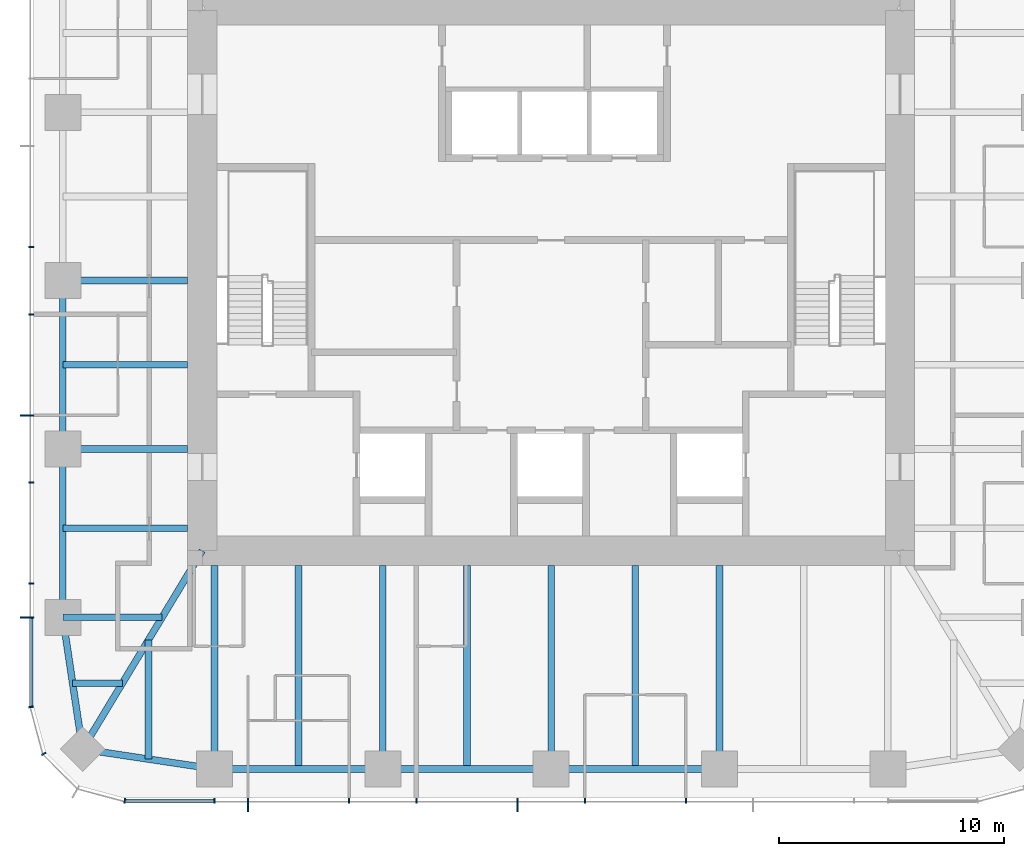
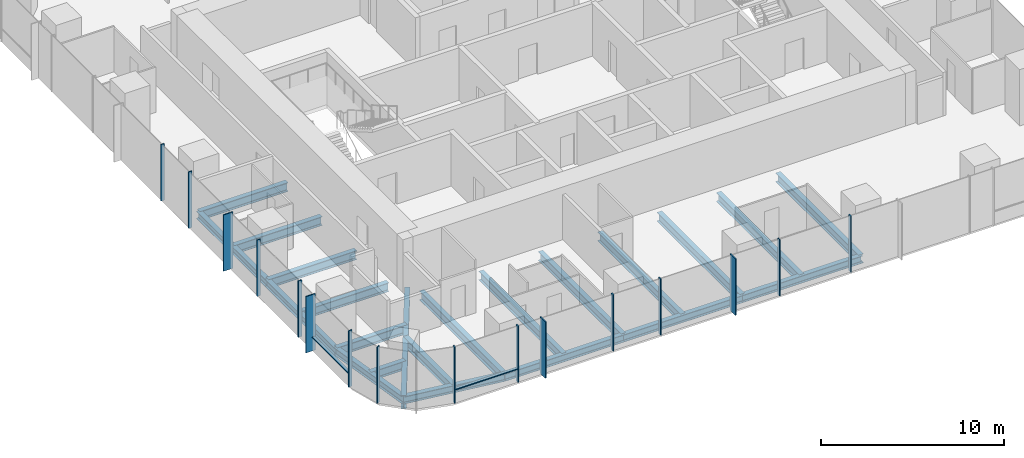
# One storey, part 2 of 12: 22 beams, 18 members, 3 elements without a shape of their own.
"""IFC4 building model written with IfcOpenShell, lengths in metres."""

from ifc_helpers import new_model, si_unit, direction, frame, origin, origin_2d, place, context, subcontext, project, spatial, rectangle, i_section, extrude, material, material_profile, profile_set, type_object, element, aggregate, save


model = new_model("IFC4")

# Units and contexts
model_context = context("Model", 3, precision=1e-05, world=origin(), true_north=direction((0.0, 1.0)))
body_context = subcontext(model_context, "Body", "Model", "MODEL_VIEW")
ifc_project = project(units=[si_unit("LENGTHUNIT", "METRE"), si_unit("AREAUNIT", "SQUARE_METRE"), si_unit("VOLUMEUNIT", "CUBIC_METRE"), si_unit("PLANEANGLEUNIT", "RADIAN"), si_unit("MASSUNIT", "GRAM", prefix="KILO")], contexts=[model_context])

# Site, building, storey
site_placement = place(None, origin())
site = spatial("IfcSite", under=ifc_project, at=site_placement, CompositionType="ELEMENT")
building_placement = place(site_placement, origin())
building = spatial("IfcBuilding", under=site, at=building_placement, Name="Khuree Lantern Residences", CompositionType="ELEMENT")
storey_placement = place(building_placement, frame((0.0, 0.0, 338.25)))
storey = spatial("IfcBuildingStorey", under=building, at=storey_placement, Name="L85", CompositionType="ELEMENT", Elevation=338.25)

# Beams
ifc_material_1 = material(Name="Steel S355", Category="steel")
ifc_material_profile_1 = material_profile(ifc_material_1, i_section(OverallWidth=0.300048828125, OverallDepth=0.590087890625, WebThickness=0.012939453125, FlangeThickness=0.02490234375, FilletRadius=0.027099609375, at=origin_2d()), Name="HE 600 A")
ifc_profile_set_1 = profile_set([ifc_material_profile_1], Name="Steel S355")
beam_type_1 = type_object("IfcBeamType", Name="B-44 SECONDARY BEAM HE 600 A", PredefinedType="BEAM", material=ifc_profile_set_1)
for number, where, z_axis, x_axis, name in (
    (1, (3.739990234375, -21.699951171875, -0.544921875), (0.0, 1.0, 0.0), (-1.0, 0.0, 0.0), "Secondary beam S3"),
    (2, (-3.739990234375, -21.699951171875, -0.544921875), (0.0, 1.0, 0.0), (-1.0, 0.0, 0.0), "Secondary beam S4"),
    (3, (-11.219970703125, -21.699951171875, -0.544921875), (0.0, 1.0, 0.0), (-1.0, 0.0, 0.0), "Secondary beam S5"),
):
    element("IfcBeam", number, at=place(storey_placement, frame(where, z_axis=z_axis, x_axis=x_axis)), inside=storey, type_object=beam_type_1, Name=name, PredefinedType="BEAM", context=body_context, shape_type="SweptSolid", body=[
        extrude(i_section(OverallWidth=0.300048828125, OverallDepth=0.590087890625, WebThickness=0.012939453125, FlangeThickness=0.02490234375, FilletRadius=0.027099609375, at=origin_2d()), origin(), (0.0, 0.0, 1.0), 9.050048828125),
    ])
beam_1_placement = place(storey_placement, frame((-17.890625, -21.2607421875, -0.544921875), z_axis=(0.0, 1.0, 0.0), x_axis=(-1.0, 0.0, 0.0)))
element("IfcBeam", 4, at=beam_1_placement, inside=storey, type_object=beam_type_1, Name="Secondary beam S6", PredefinedType="BEAM", context=body_context, shape_type="SweptSolid", body=[
    extrude(i_section(OverallWidth=0.300048828125, OverallDepth=0.590087890625, WebThickness=0.012939453125, FlangeThickness=0.02490234375, FilletRadius=0.027099609375, at=origin_2d()), origin(), (0.0, 0.0, 1.0), 5.297607421875),
])
beam_2_placement = place(storey_placement, frame((-21.2607421875, -17.890625, -0.544921875), z_axis=(1.0, 0.0, 0.0), x_axis=(0.0, 1.0, 0.0)))
element("IfcBeam", 5, at=beam_2_placement, inside=storey, type_object=beam_type_1, Name="Secondary beam W1", PredefinedType="BEAM", context=body_context, shape_type="SweptSolid", body=[
    extrude(i_section(OverallWidth=0.300048828125, OverallDepth=0.590087890625, WebThickness=0.012939453125, FlangeThickness=0.02490234375, FilletRadius=0.027099609375, at=origin_2d()), origin(), (0.0, 0.0, 1.0), 2.207275390625),
])
for number, where, z_axis, x_axis, name in (
    (6, (-21.699951171875, -11.0, -0.544921875), (1.0, 0.0, 0.0), (0.0, 1.0, 0.0), "Secondary beam W2"),
    (7, (-21.699951171875, -3.739990234375, -0.544921875), (1.0, 0.0, 0.0), (0.0, 1.0, 0.0), "Secondary beam W3"),
):
    element("IfcBeam", number, at=place(storey_placement, frame(where, z_axis=z_axis, x_axis=x_axis)), inside=storey, type_object=beam_type_1, Name=name, PredefinedType="BEAM", context=body_context, shape_type="SweptSolid", body=[
        extrude(i_section(OverallWidth=0.300048828125, OverallDepth=0.590087890625, WebThickness=0.012939453125, FlangeThickness=0.02490234375, FilletRadius=0.027099609375, at=origin_2d()), origin(), (0.0, 0.0, 1.0), 5.550048828125),
    ])
ifc_material_profile_2 = material_profile(ifc_material_1, i_section(OverallWidth=0.300048828125, OverallDepth=0.489990234375, WebThickness=0.011962890625, FlangeThickness=0.02294921875, FilletRadius=0.027099609375, at=origin_2d()), Name="HE 500 A")
ifc_profile_set_2 = profile_set([ifc_material_profile_2], Name="Steel S355")
beam_type_2 = type_object("IfcBeamType", Name="E-44 SPANDREL BEAM HE 500 A", PredefinedType="SPANDREL", material=ifc_profile_set_2)
for number, where, z_axis, x_axis, name in (
    (8, (7.47998046875, -21.699951171875, -0.4951171875), (-1.0, 0.0, 0.0), (0.0, -1.0, 0.0), "Spandrel beam S3"),
    (9, (0.0, -21.699951171875, -0.4951171875), (-1.0, 0.0, 0.0), (0.0, -1.0, 0.0), "Spandrel beam S4"),
    (10, (-7.47998046875, -21.699951171875, -0.4951171875), (-1.0, 0.0, 0.0), (0.0, -1.0, 0.0), "Spandrel beam S5"),
):
    element("IfcBeam", number, at=place(storey_placement, frame(where, z_axis=z_axis, x_axis=x_axis)), inside=storey, type_object=beam_type_2, Name=name, PredefinedType="SPANDREL", context=body_context, shape_type="SweptSolid", body=[
        extrude(i_section(OverallWidth=0.300048828125, OverallDepth=0.489990234375, WebThickness=0.011962890625, FlangeThickness=0.02294921875, FilletRadius=0.027099609375, at=origin_2d()), origin(), (0.0, 0.0, 1.0), 7.47998046875),
    ])
for number, where, z_axis, x_axis, name in (
    (11, (-14.9599609375, -21.699951171875, -0.4951171875), (-0.988949643299, 0.148251822985, 0.0), (-0.148251822985, -0.988949643299, 0.0), "Spandrel beam S6"),
    (12, (-20.8212890625, -20.8212890625, -0.4951171875), (-0.148251822985, 0.988949643299, 0.0), (-0.988949643299, -0.148251822985, 0.0), "Spandrel beam W1"),
):
    element("IfcBeam", number, at=place(storey_placement, frame(where, z_axis=z_axis, x_axis=x_axis)), inside=storey, type_object=beam_type_2, Name=name, PredefinedType="SPANDREL", context=body_context, shape_type="SweptSolid", body=[
        extrude(i_section(OverallWidth=0.300048828125, OverallDepth=0.489990234375, WebThickness=0.011962890625, FlangeThickness=0.02294921875, FilletRadius=0.027099609375, at=origin_2d()), origin(), (0.0, 0.0, 1.0), 5.9267578125),
    ])
for number, where, z_axis, x_axis, name in (
    (13, (-21.699951171875, -14.9599609375, -0.4951171875), (0.0, 1.0, 0.0), (-1.0, 0.0, 0.0), "Spandrel beam W2"),
    (14, (-21.699951171875, -7.47998046875, -0.4951171875), (0.0, 1.0, 0.0), (-1.0, 0.0, 0.0), "Spandrel beam W3"),
):
    element("IfcBeam", number, at=place(storey_placement, frame(where, z_axis=z_axis, x_axis=x_axis)), inside=storey, type_object=beam_type_2, Name=name, PredefinedType="SPANDREL", context=body_context, shape_type="SweptSolid", body=[
        extrude(i_section(OverallWidth=0.300048828125, OverallDepth=0.489990234375, WebThickness=0.011962890625, FlangeThickness=0.02294921875, FilletRadius=0.027099609375, at=origin_2d()), origin(), (0.0, 0.0, 1.0), 7.47998046875),
    ])

# Curtain wall, members
ifc_material_2 = material(Name="Bronze anodised aluminium", Category="aluminium")
curtain_wall_type_1 = type_object("IfcCurtainWallType", Name="CW-T1 TOWER FACE CURTAIN WALL", PredefinedType="USERDEFINED", material=ifc_material_2)
curtain_wall_1_placement = place(storey_placement, origin())
curtain_wall_1 = element("IfcCurtainWall", 15, at=curtain_wall_1_placement, inside=storey, type_object=curtain_wall_type_1, Name="L85 WEST FACE CURTAIN WALL", ObjectType="Stick-built curtain wall", PredefinedType="USERDEFINED")
ifc_material_profile_3 = material_profile(ifc_material_2, rectangle(XDim=0.06494140625, YDim=0.60009765625, at=origin_2d()), Name="F1 65X600")
ifc_profile_set_3 = profile_set([ifc_material_profile_3], Name="Bronze anodised aluminium")
member_type_1 = type_object("IfcMemberType", Name="F1 BRONZE FIN MULLION TOWER 65X600", PredefinedType="MULLION", material=ifc_profile_set_3)
member_1_placement = place(storey_placement, frame((-23.300048828125, -5.98388671875, 0.0), z_axis=(0.0, 0.0, 1.0), x_axis=(0.0, -1.0, 0.0)))
member_1 = element("IfcMember", 16, at=member_1_placement, type_object=member_type_1, Name="L85 WEST FACE FIN MULLION 39", PredefinedType="MULLION", context=body_context, shape_type="SweptSolid", body=[
    extrude(rectangle(XDim=0.06494140625, YDim=0.60009765625, at=origin_2d()), origin(), (0.0, 0.0, 1.0), 3.75),
])
member_2_placement = place(storey_placement, frame((-23.300048828125, -14.9599609375, 0.0), z_axis=(0.0, 0.0, 1.0), x_axis=(0.0, -1.0, 0.0)))
member_2 = element("IfcMember", 17, at=member_2_placement, type_object=member_type_1, Name="L85 WEST FACE FIN MULLION 42", PredefinedType="MULLION", context=body_context, shape_type="SweptSolid", body=[
    extrude(rectangle(XDim=0.06494140625, YDim=0.60009765625, at=origin_2d()), origin(), (0.0, 0.0, 1.0), 3.75),
])

curtain_wall_2_placement = place(storey_placement, origin())
curtain_wall_2 = element("IfcCurtainWall", 18, at=curtain_wall_2_placement, inside=storey, type_object=curtain_wall_type_1, Name="L85 SOUTH FACE CURTAIN WALL", ObjectType="Stick-built curtain wall", PredefinedType="USERDEFINED")
member_3_placement = place(storey_placement, frame((-13.464111328125, -23.300048828125, 0.0), z_axis=(0.0, 0.0, 1.0), x_axis=(1.0, 0.0, 0.0)))
member_3 = element("IfcMember", 19, at=member_3_placement, type_object=member_type_1, Name="L85 SOUTH FACE FIN MULLION 48", PredefinedType="MULLION", context=body_context, shape_type="SweptSolid", body=[
    extrude(rectangle(XDim=0.06494140625, YDim=0.60009765625, at=origin_2d()), origin(), (0.0, 0.0, 1.0), 3.75),
])
member_4_placement = place(storey_placement, frame((-1.49609375, -23.300048828125, 0.0), z_axis=(0.0, 0.0, 1.0), x_axis=(1.0, 0.0, 0.0)))
member_4 = element("IfcMember", 20, at=member_4_placement, type_object=member_type_1, Name="L85 SOUTH FACE FIN MULLION 51", PredefinedType="MULLION", context=body_context, shape_type="SweptSolid", body=[
    extrude(rectangle(XDim=0.06494140625, YDim=0.60009765625, at=origin_2d()), origin(), (0.0, 0.0, 1.0), 3.75),
])

# Beams
ifc_material_profile_4 = material_profile(ifc_material_1, i_section(OverallWidth=0.300048828125, OverallDepth=0.60009765625, WebThickness=0.015380859375, FlangeThickness=0.030029296875, FilletRadius=0.027099609375, at=origin_2d()), Name="HE 600 B")
ifc_profile_set_4 = profile_set([ifc_material_profile_4], Name="Steel S355")
beam_type_3 = type_object("IfcBeamType", Name="G-44 GIRDER HE 600 B", PredefinedType="BEAM", material=ifc_profile_set_4)
for number, where, z_axis, x_axis, name in (
    (21, (7.47998046875, -21.699951171875, -0.550048828125), (0.0, 1.0, 0.0), (-1.0, 0.0, 0.0), "Girder S2"),
    (22, (0.0, -21.699951171875, -0.550048828125), (0.0, 1.0, 0.0), (-1.0, 0.0, 0.0), "Girder S3"),
    (23, (-7.47998046875, -21.699951171875, -0.550048828125), (0.0, 1.0, 0.0), (-1.0, 0.0, 0.0), "Girder S4"),
    (24, (-14.9599609375, -21.699951171875, -0.550048828125), (0.0, 1.0, 0.0), (-1.0, 0.0, 0.0), "Girder S5"),
):
    element("IfcBeam", number, at=place(storey_placement, frame(where, z_axis=z_axis, x_axis=x_axis)), inside=storey, type_object=beam_type_3, Name=name, PredefinedType="BEAM", context=body_context, shape_type="SweptSolid", body=[
        extrude(i_section(OverallWidth=0.300048828125, OverallDepth=0.60009765625, WebThickness=0.015380859375, FlangeThickness=0.030029296875, FilletRadius=0.027099609375, at=origin_2d()), origin(), (0.0, 0.0, 1.0), 9.050048828125),
    ])
beam_3_placement = place(storey_placement, frame((-21.699951171875, -14.9599609375, -0.550048828125), z_axis=(1.0, 0.0, 0.0), x_axis=(0.0, 1.0, 0.0)))
element("IfcBeam", 25, at=beam_3_placement, inside=storey, type_object=beam_type_3, Name="Girder W1", PredefinedType="BEAM", context=body_context, shape_type="SweptSolid", body=[
    extrude(i_section(OverallWidth=0.300048828125, OverallDepth=0.60009765625, WebThickness=0.015380859375, FlangeThickness=0.030029296875, FilletRadius=0.027099609375, at=origin_2d()), origin(), (0.0, 0.0, 1.0), 4.414306640625),
])
for number, where, z_axis, x_axis, name in (
    (26, (-21.699951171875, -7.47998046875, -0.550048828125), (1.0, 0.0, 0.0), (0.0, 1.0, 0.0), "Girder W2"),
    (27, (-21.699951171875, 0.0, -0.550048828125), (1.0, 0.0, 0.0), (0.0, 1.0, 0.0), "Girder W3"),
):
    element("IfcBeam", number, at=place(storey_placement, frame(where, z_axis=z_axis, x_axis=x_axis)), inside=storey, type_object=beam_type_3, Name=name, PredefinedType="BEAM", context=body_context, shape_type="SweptSolid", body=[
        extrude(i_section(OverallWidth=0.300048828125, OverallDepth=0.60009765625, WebThickness=0.015380859375, FlangeThickness=0.030029296875, FilletRadius=0.027099609375, at=origin_2d()), origin(), (0.0, 0.0, 1.0), 5.550048828125),
    ])
ifc_material_profile_5 = material_profile(ifc_material_1, i_section(OverallWidth=0.300048828125, OverallDepth=0.89990234375, WebThickness=0.0185546875, FlangeThickness=0.034912109375, FilletRadius=0.030029296875, at=origin_2d()), Name="HE 900 B")
ifc_profile_set_5 = profile_set([ifc_material_profile_5], Name="Steel S355")
beam_type_4 = type_object("IfcBeamType", Name="GD-44 CORNER GIRDER HE 900 B", PredefinedType="BEAM", material=ifc_profile_set_5)
beam_4_placement = place(storey_placement, frame((-20.8212890625, -20.8212890625, -0.699951171875), z_axis=(0.516529577604, 0.856269347495, 0.0), x_axis=(-0.856269347495, 0.516529577604, 0.0)))
element("IfcBeam", 28, at=beam_4_placement, inside=storey, type_object=beam_type_4, Name="Corner girder SW", PredefinedType="BEAM", context=body_context, shape_type="SweptSolid", body=[
    extrude(i_section(OverallWidth=0.300048828125, OverallDepth=0.89990234375, WebThickness=0.0185546875, FlangeThickness=0.034912109375, FilletRadius=0.030029296875, at=origin_2d()), origin(), (0.0, 0.0, 1.0), 10.302001953125),
])

# Member
ifc_material_profile_6 = material_profile(ifc_material_2, rectangle(XDim=0.06494140625, YDim=0.219970703125, at=origin_2d()), Name="M1 65X220")
ifc_profile_set_6 = profile_set([ifc_material_profile_6], Name="Bronze anodised aluminium")
member_type_2 = type_object("IfcMemberType", Name="M1 BRONZE MULLION TOWER 65X220", PredefinedType="MULLION", material=ifc_profile_set_6)
member_5_placement = place(storey_placement, frame((-23.110107421875, 1.49609375, 0.0), z_axis=(0.0, 0.0, 1.0), x_axis=(0.0, -1.0, 0.0)))
member_5 = element("IfcMember", 29, at=member_5_placement, type_object=member_type_2, Name="L85 WEST FACE MULLION 37", PredefinedType="MULLION", context=body_context, shape_type="SweptSolid", body=[
    extrude(rectangle(XDim=0.06494140625, YDim=0.219970703125, at=origin_2d()), origin(), (0.0, 0.0, 1.0), 3.75),
])

member_6_placement = place(storey_placement, frame((-23.110107421875, -1.49609375, 0.0), z_axis=(0.0, 0.0, 1.0), x_axis=(0.0, -1.0, 0.0)))
member_6 = element("IfcMember", 30, at=member_6_placement, type_object=member_type_2, Name="L85 WEST FACE MULLION 38", PredefinedType="MULLION", context=body_context, shape_type="SweptSolid", body=[
    extrude(rectangle(XDim=0.06494140625, YDim=0.219970703125, at=origin_2d()), origin(), (0.0, 0.0, 1.0), 3.75),
])

member_7_placement = place(storey_placement, frame((-23.110107421875, -8.97607421875, 0.0), z_axis=(0.0, 0.0, 1.0), x_axis=(0.0, -1.0, 0.0)))
member_7 = element("IfcMember", 31, at=member_7_placement, type_object=member_type_2, Name="L85 WEST FACE MULLION 40", PredefinedType="MULLION", context=body_context, shape_type="SweptSolid", body=[
    extrude(rectangle(XDim=0.06494140625, YDim=0.219970703125, at=origin_2d()), origin(), (0.0, 0.0, 1.0), 3.75),
])

member_8_placement = place(storey_placement, frame((-23.110107421875, -13.464111328125, 0.0), z_axis=(0.0, 0.0, 1.0), x_axis=(0.0, -1.0, 0.0)))
member_8 = element("IfcMember", 32, at=member_8_placement, type_object=member_type_2, Name="L85 WEST FACE MULLION 41", PredefinedType="MULLION", context=body_context, shape_type="SweptSolid", body=[
    extrude(rectangle(XDim=0.06494140625, YDim=0.219970703125, at=origin_2d()), origin(), (0.0, 0.0, 1.0), 3.75),
])

# Curtain wall, members
curtain_wall_type_2 = type_object("IfcCurtainWallType", Name="CW-T2 TOWER CORNER CURTAIN WALL", PredefinedType="USERDEFINED", material=ifc_material_2)
curtain_wall_3_placement = place(storey_placement, origin())
curtain_wall_3 = element("IfcCurtainWall", 33, at=curtain_wall_3_placement, inside=storey, type_object=curtain_wall_type_2, Name="L85 SOUTH-WEST CORNER CURTAIN WALL", ObjectType="Faceted corner curtain wall", PredefinedType="USERDEFINED")
member_9_placement = place(storey_placement, frame((-23.11181640625, -18.945068359375, 0.0), z_axis=(0.0, 0.0, 1.0), x_axis=(0.130526125236, -0.991444870192, 0.0)))
member_9 = element("IfcMember", 34, at=member_9_placement, type_object=member_type_2, Name="L85 SOUTH-WEST CORNER MULLION 43", PredefinedType="MULLION", context=body_context, shape_type="SweptSolid", body=[
    extrude(rectangle(XDim=0.06494140625, YDim=0.219970703125, at=origin_2d()), origin(), (0.0, 0.0, 1.0), 3.75),
])
member_10_placement = place(storey_placement, frame((-22.552734375, -21.030029296875, 0.0), z_axis=(0.0, 0.0, 1.0), x_axis=(0.49999994149, -0.866025437565, 0.0)))
member_10 = element("IfcMember", 35, at=member_10_placement, type_object=member_type_2, Name="L85 SOUTH-WEST CORNER MULLION 44", PredefinedType="MULLION", context=body_context, shape_type="SweptSolid", body=[
    extrude(rectangle(XDim=0.06494140625, YDim=0.219970703125, at=origin_2d()), origin(), (0.0, 0.0, 1.0), 3.75),
])
aggregate(curtain_wall_3, [member_9, member_10])

# Member
member_11_placement = place(storey_placement, frame((-18.945068359375, -23.11181640625, 0.0), z_axis=(0.0, 0.0, 1.0), x_axis=(0.991444870192, -0.130526125236, 0.0)))
member_11 = element("IfcMember", 36, at=member_11_placement, type_object=member_type_2, Name="L85 SOUTH FACE MULLION 46", PredefinedType="MULLION", context=body_context, shape_type="SweptSolid", body=[
    extrude(rectangle(XDim=0.06494140625, YDim=0.219970703125, at=origin_2d()), origin(), (0.0, 0.0, 1.0), 3.75),
])

member_12_placement = place(storey_placement, frame((-14.9599609375, -23.110107421875, 0.0), z_axis=(0.0, 0.0, 1.0), x_axis=(1.0, 0.0, 0.0)))
member_12 = element("IfcMember", 37, at=member_12_placement, type_object=member_type_2, Name="L85 SOUTH FACE MULLION 47", PredefinedType="MULLION", context=body_context, shape_type="SweptSolid", body=[
    extrude(rectangle(XDim=0.06494140625, YDim=0.219970703125, at=origin_2d()), origin(), (0.0, 0.0, 1.0), 3.75),
])

member_13_placement = place(storey_placement, frame((-8.97607421875, -23.110107421875, 0.0), z_axis=(0.0, 0.0, 1.0), x_axis=(1.0, 0.0, 0.0)))
member_13 = element("IfcMember", 38, at=member_13_placement, type_object=member_type_2, Name="L85 SOUTH FACE MULLION 49", PredefinedType="MULLION", context=body_context, shape_type="SweptSolid", body=[
    extrude(rectangle(XDim=0.06494140625, YDim=0.219970703125, at=origin_2d()), origin(), (0.0, 0.0, 1.0), 3.75),
])

member_14_placement = place(storey_placement, frame((-5.98388671875, -23.110107421875, 0.0), z_axis=(0.0, 0.0, 1.0), x_axis=(1.0, 0.0, 0.0)))
member_14 = element("IfcMember", 39, at=member_14_placement, type_object=member_type_2, Name="L85 SOUTH FACE MULLION 50", PredefinedType="MULLION", context=body_context, shape_type="SweptSolid", body=[
    extrude(rectangle(XDim=0.06494140625, YDim=0.219970703125, at=origin_2d()), origin(), (0.0, 0.0, 1.0), 3.75),
])

member_15_placement = place(storey_placement, frame((1.49609375, -23.110107421875, 0.0), z_axis=(0.0, 0.0, 1.0), x_axis=(1.0, 0.0, 0.0)))
member_15 = element("IfcMember", 40, at=member_15_placement, type_object=member_type_2, Name="L85 SOUTH FACE MULLION 52", PredefinedType="MULLION", context=body_context, shape_type="SweptSolid", body=[
    extrude(rectangle(XDim=0.06494140625, YDim=0.219970703125, at=origin_2d()), origin(), (0.0, 0.0, 1.0), 3.75),
])

member_16_placement = place(storey_placement, frame((5.98388671875, -23.110107421875, 0.0), z_axis=(0.0, 0.0, 1.0), x_axis=(1.0, 0.0, 0.0)))
member_16 = element("IfcMember", 41, at=member_16_placement, type_object=member_type_2, Name="L85 SOUTH FACE MULLION 53", PredefinedType="MULLION", context=body_context, shape_type="SweptSolid", body=[
    extrude(rectangle(XDim=0.06494140625, YDim=0.219970703125, at=origin_2d()), origin(), (0.0, 0.0, 1.0), 3.75),
])

ifc_material_profile_7 = material_profile(ifc_material_2, rectangle(XDim=0.179931640625, YDim=0.06494140625, at=origin_2d()), Name="T1 180X65")
ifc_profile_set_7 = profile_set([ifc_material_profile_7], Name="Bronze anodised aluminium")
member_type_3 = type_object("IfcMemberType", Name="TRANSOM T1 TOWER 180X65", PredefinedType="USERDEFINED", material=ifc_profile_set_7)
member_17_placement = place(storey_placement, frame((-23.1201171875, -14.992431640625, 0.89990234375), z_axis=(0.0, -1.0, 0.0), x_axis=(1.0, 0.0, 0.0)))
member_17 = element("IfcMember", 42, at=member_17_placement, type_object=member_type_3, Name="L85 WEST FACE TRANSOM 42.1", ObjectType="Transom", PredefinedType="USERDEFINED", context=body_context, shape_type="SweptSolid", body=[
    extrude(rectangle(XDim=0.179931640625, YDim=0.06494140625, at=origin_2d()), origin(), (0.0, 0.0, 1.0), 3.908935546875),
])

aggregate(curtain_wall_1, [member_5, member_6, member_1, member_7, member_8, member_2, member_17])

member_18_placement = place(storey_placement, frame((-18.9013671875, -23.1201171875, 0.89990234375), z_axis=(1.0, 0.0, 0.0), x_axis=(0.0, 1.0, 0.0)))
member_18 = element("IfcMember", 43, at=member_18_placement, type_object=member_type_3, Name="L85 SOUTH FACE TRANSOM 46.1", ObjectType="Transom", PredefinedType="USERDEFINED", context=body_context, shape_type="SweptSolid", body=[
    extrude(rectangle(XDim=0.179931640625, YDim=0.06494140625, at=origin_2d()), origin(), (0.0, 0.0, 1.0), 3.908935546875),
])

aggregate(curtain_wall_2, [member_11, member_12, member_3, member_13, member_14, member_4, member_15, member_16, member_18])

save(model, "model.ifc")
